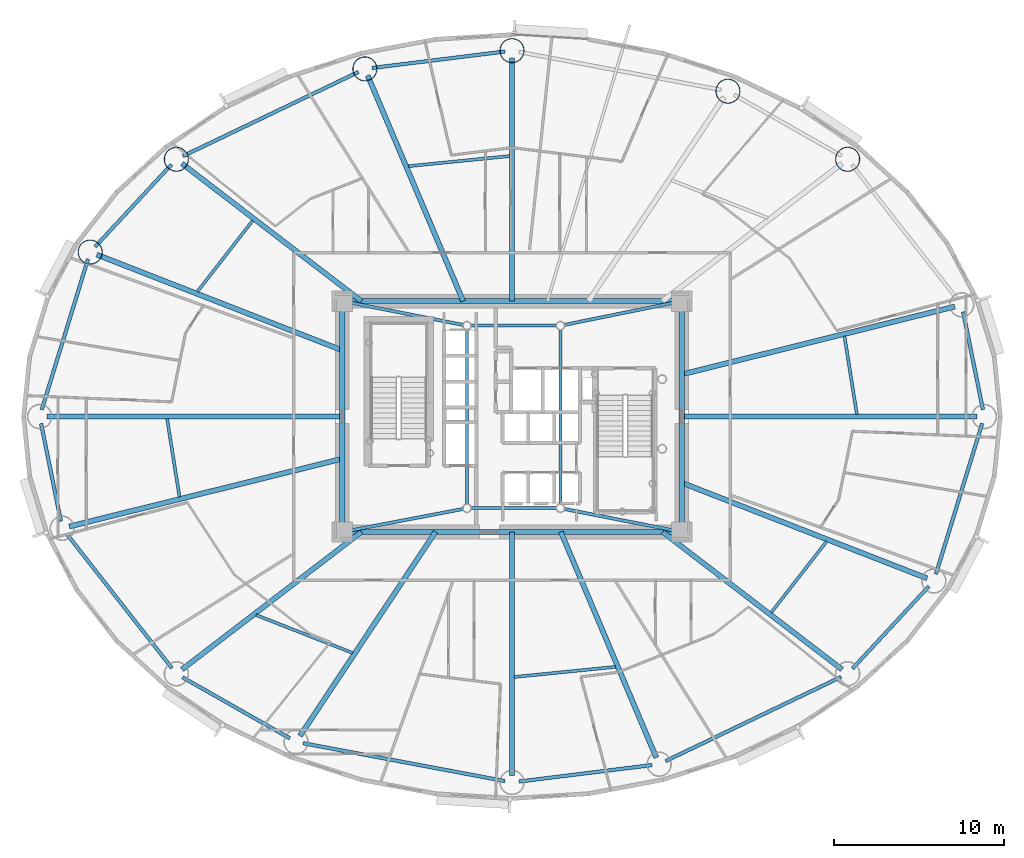
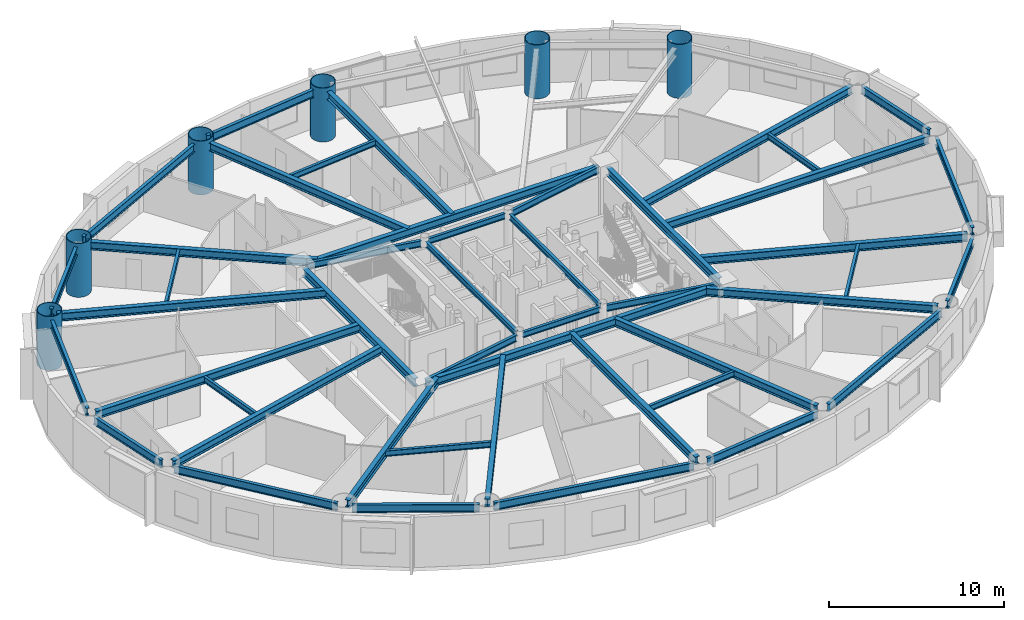
# One storey, part 3 of 18: 46 beams, 6 columns.
"""IFC4 building model written with IfcOpenShell, lengths in metres."""

from ifc_helpers import new_model, si_unit, direction, frame, origin, origin_2d, place, context, subcontext, project, spatial, hollow_circle, i_section, extrude, material, material_profile, profile_set, type_object, element, save


model = new_model("IFC4")

# Units and contexts
model_context = context("Model", 3, precision=1e-05, world=origin(), true_north=direction((0.0, 1.0)))
body_context = subcontext(model_context, "Body", "Model", "MODEL_VIEW")
ifc_project = project(units=[si_unit("LENGTHUNIT", "METRE"), si_unit("AREAUNIT", "SQUARE_METRE"), si_unit("VOLUMEUNIT", "CUBIC_METRE"), si_unit("PLANEANGLEUNIT", "RADIAN"), si_unit("MASSUNIT", "GRAM", prefix="KILO")], contexts=[model_context])

# Site, building, storey
site_placement = place(None, origin())
site = spatial("IfcSite", under=ifc_project, at=site_placement, CompositionType="ELEMENT")
building_placement = place(site_placement, origin())
building = spatial("IfcBuilding", under=site, at=building_placement, Name="Linh Dai School and Residence Tower", CompositionType="ELEMENT")
storey_placement = place(building_placement, frame((0.0, 0.0, 123.449951171875)))
storey = spatial("IfcBuildingStorey", under=building, at=storey_placement, Name="L29", CompositionType="ELEMENT", Elevation=123.449951171875)

# Columns
ifc_material = material(Name="Structural Steel S355JR", Category="steel")
ifc_material_profile_1 = material_profile(ifc_material, hollow_circle(Radius=0.72509765625, WallThickness=0.0419921875, at=origin_2d()), Name="CHS 1450x42")
ifc_profile_set_1 = profile_set([ifc_material_profile_1], Name="Structural Steel S355JR")
column_type = type_object("IfcColumnType", Name="COL-MC3", PredefinedType="COLUMN", material=ifc_profile_set_1)
for number, where, z_axis, x_axis, name in (
    (1, (55.772705078125, 42.155517578125, 0.0), (0.0, 0.0, 1.0), (1.0, 0.0, 0.0), "L29 Perimeter CFT Mega-Column MC03"),
    (2, (48.721923828125, 46.1650390625, 0.0), (0.0, 0.0, 1.0), (1.0, 0.0, 0.0), "L29 Perimeter CFT Mega-Column MC04"),
    (3, (36.0, 48.554931640625, 0.0), (0.0, 0.0, 1.0), (1.0, 0.0, 0.0), "L29 Perimeter CFT Mega-Column MC05"),
    (4, (27.33447265625, 47.480712890625, 0.0), (0.0, 0.0, 1.0), (1.0, 0.0, 0.0), "L29 Perimeter CFT Mega-Column MC06"),
    (5, (16.227294921875, 42.155517578125, 0.0), (0.0, 0.0, 1.0), (1.0, 0.0, 0.0), "L29 Perimeter CFT Mega-Column MC07"),
    (6, (11.15087890625, 36.6875, 0.0), (0.0, 0.0, 1.0), (1.0, 0.0, 0.0), "L29 Perimeter CFT Mega-Column MC08"),
):
    element("IfcColumn", number, at=place(storey_placement, frame(where, z_axis=z_axis, x_axis=x_axis)), inside=storey, type_object=column_type, Name=name, PredefinedType="COLUMN", context=body_context, shape_type="SweptSolid", body=[
        extrude(hollow_circle(Radius=0.72509765625, WallThickness=0.0419921875, at=origin_2d()), origin(), (0.0, 0.0, 1.0), 3.75),
    ])

# Beams
ifc_material_profile_2 = material_profile(ifc_material, i_section(OverallWidth=0.2099609375, OverallDepth=0.550048828125, WebThickness=0.010986328125, FlangeThickness=0.01708984375, FilletRadius=0.02392578125, at=origin_2d()), Name="IPE 550")
ifc_profile_set_2 = profile_set([ifc_material_profile_2], Name="Structural Steel S355JR")
beam_type_1 = type_object("IfcBeamType", Name="BM-RB55", PredefinedType="BEAM", material=ifc_profile_set_2)
beam_1_placement = place(storey_placement, frame((63.74169921875, 27.41162109375, 3.22509765625), z_axis=(-0.198441254313, 0.980112783605, 0.0), x_axis=(-0.980112783605, -0.198441254313, 0.0)))
element("IfcBeam", 7, at=beam_1_placement, inside=storey, type_object=beam_type_1, Name="L29 Perimeter Elliptical Ring Beam 01", PredefinedType="BEAM", context=body_context, shape_type="SweptSolid", body=[
    extrude(i_section(OverallWidth=0.2099609375, OverallDepth=0.550048828125, WebThickness=0.010986328125, FlangeThickness=0.01708984375, FilletRadius=0.02392578125, at=origin_2d()), origin(), (0.0, 0.0, 1.0), 5.874755859375),
])
beam_2_placement = place(storey_placement, frame((35.583251953125, 48.50341796875, 3.22509765625), z_axis=(-0.992399234854, -0.123059979933, 0.0), x_axis=(0.123059979933, -0.992399234854, 0.0)))
element("IfcBeam", 8, at=beam_2_placement, inside=storey, type_object=beam_type_1, Name="L29 Perimeter Elliptical Ring Beam 05", PredefinedType="BEAM", context=body_context, shape_type="SweptSolid", body=[
    extrude(i_section(OverallWidth=0.2099609375, OverallDepth=0.550048828125, WebThickness=0.010986328125, FlangeThickness=0.01708984375, FilletRadius=0.02392578125, at=origin_2d()), origin(), (0.0, 0.0, 1.0), 7.89208984375),
])
beam_3_placement = place(storey_placement, frame((26.955810546875, 47.299072265625, 3.22509765625), z_axis=(-0.901715153312, -0.432330640005, 0.0), x_axis=(0.432330640005, -0.901715153312, 0.0)))
element("IfcBeam", 9, at=beam_3_placement, inside=storey, type_object=beam_type_1, Name="L29 Perimeter Elliptical Ring Beam 06", PredefinedType="BEAM", context=body_context, shape_type="SweptSolid", body=[
    extrude(i_section(OverallWidth=0.2099609375, OverallDepth=0.550048828125, WebThickness=0.010986328125, FlangeThickness=0.01708984375, FilletRadius=0.02392578125, at=origin_2d()), origin(), (0.0, 0.0, 1.0), 11.477783203125),
])
beam_4_placement = place(storey_placement, frame((15.941650390625, 41.84765625, 3.22509765625), z_axis=(-0.680384623752, -0.732855213369, 0.0), x_axis=(0.732855213369, -0.680384623752, 0.0)))
element("IfcBeam", 10, at=beam_4_placement, inside=storey, type_object=beam_type_1, Name="L29 Perimeter Elliptical Ring Beam 07", PredefinedType="BEAM", context=body_context, shape_type="SweptSolid", body=[
    extrude(i_section(OverallWidth=0.2099609375, OverallDepth=0.550048828125, WebThickness=0.010986328125, FlangeThickness=0.01708984375, FilletRadius=0.02392578125, at=origin_2d()), origin(), (0.0, 0.0, 1.0), 6.62109375),
])
beam_5_placement = place(storey_placement, frame((11.027587890625, 36.2861328125, 3.22509765625), z_axis=(-0.29364097848, -0.95591577859, 0.0), x_axis=(0.95591577859, -0.29364097848, 0.0)))
element("IfcBeam", 11, at=beam_5_placement, inside=storey, type_object=beam_type_1, Name="L29 Perimeter Elliptical Ring Beam 08", PredefinedType="BEAM", context=body_context, shape_type="SweptSolid", body=[
    extrude(i_section(OverallWidth=0.2099609375, OverallDepth=0.550048828125, WebThickness=0.010986328125, FlangeThickness=0.01708984375, FilletRadius=0.02392578125, at=origin_2d()), origin(), (0.0, 0.0, 1.0), 9.29443359375),
])
beam_6_placement = place(storey_placement, frame((8.25830078125, 26.58837890625, 3.22509765625), z_axis=(0.198441254313, -0.980112783605, 0.0), x_axis=(0.980112783605, 0.198441254313, 0.0)))
element("IfcBeam", 12, at=beam_6_placement, inside=storey, type_object=beam_type_1, Name="L29 Perimeter Elliptical Ring Beam 09", PredefinedType="BEAM", context=body_context, shape_type="SweptSolid", body=[
    extrude(i_section(OverallWidth=0.2099609375, OverallDepth=0.550048828125, WebThickness=0.010986328125, FlangeThickness=0.01708984375, FilletRadius=0.02392578125, at=origin_2d()), origin(), (0.0, 0.0, 1.0), 5.874755859375),
])
beam_7_placement = place(storey_placement, frame((9.766357421875, 20.08837890625, 3.22509765625), z_axis=(0.616854830973, -0.787076945098, 0.0), x_axis=(0.787076945098, 0.616854830973, 0.0)))
element("IfcBeam", 13, at=beam_7_placement, inside=storey, type_object=beam_type_1, Name="L29 Perimeter Elliptical Ring Beam 10", PredefinedType="BEAM", context=body_context, shape_type="SweptSolid", body=[
    extrude(i_section(OverallWidth=0.2099609375, OverallDepth=0.550048828125, WebThickness=0.010986328125, FlangeThickness=0.01708984375, FilletRadius=0.02392578125, at=origin_2d()), origin(), (0.0, 0.0, 1.0), 10.053955078125),
])
beam_8_placement = place(storey_placement, frame((16.592529296875, 11.636962890625, 3.22509765625), z_axis=(0.86927031475, -0.494337050902, 0.0), x_axis=(0.494337050902, 0.86927031475, 0.0)))
element("IfcBeam", 14, at=beam_8_placement, inside=storey, type_object=beam_type_1, Name="L29 Perimeter Elliptical Ring Beam 11", PredefinedType="BEAM", context=body_context, shape_type="SweptSolid", body=[
    extrude(i_section(OverallWidth=0.2099609375, OverallDepth=0.550048828125, WebThickness=0.010986328125, FlangeThickness=0.01708984375, FilletRadius=0.02392578125, at=origin_2d()), origin(), (0.0, 0.0, 1.0), 7.270751953125),
])
beam_9_placement = place(storey_placement, frame((23.69091796875, 7.75732421875, 3.22509765625), z_axis=(0.982807507457, -0.184633158685, 0.0), x_axis=(0.184633158685, 0.982807507457, 0.0)))
element("IfcBeam", 15, at=beam_9_placement, inside=storey, type_object=beam_type_1, Name="L29 Perimeter Elliptical Ring Beam 12", PredefinedType="BEAM", context=body_context, shape_type="SweptSolid", body=[
    extrude(i_section(OverallWidth=0.2099609375, OverallDepth=0.550048828125, WebThickness=0.010986328125, FlangeThickness=0.01708984375, FilletRadius=0.02392578125, at=origin_2d()), origin(), (0.0, 0.0, 1.0), 12.104248046875),
])
beam_10_placement = place(storey_placement, frame((36.416748046875, 5.49658203125, 3.22509765625), z_axis=(0.992399234854, 0.123059979933, 0.0), x_axis=(-0.123059979933, 0.992399234854, 0.0)))
element("IfcBeam", 16, at=beam_10_placement, inside=storey, type_object=beam_type_1, Name="L29 Perimeter Elliptical Ring Beam 13", PredefinedType="BEAM", context=body_context, shape_type="SweptSolid", body=[
    extrude(i_section(OverallWidth=0.2099609375, OverallDepth=0.550048828125, WebThickness=0.010986328125, FlangeThickness=0.01708984375, FilletRadius=0.02392578125, at=origin_2d()), origin(), (0.0, 0.0, 1.0), 7.89208984375),
])
beam_11_placement = place(storey_placement, frame((45.044189453125, 6.700927734375, 3.22509765625), z_axis=(0.901715153312, 0.432330640005, 0.0), x_axis=(-0.432330640005, 0.901715153312, 0.0)))
element("IfcBeam", 17, at=beam_11_placement, inside=storey, type_object=beam_type_1, Name="L29 Perimeter Elliptical Ring Beam 14", PredefinedType="BEAM", context=body_context, shape_type="SweptSolid", body=[
    extrude(i_section(OverallWidth=0.2099609375, OverallDepth=0.550048828125, WebThickness=0.010986328125, FlangeThickness=0.01708984375, FilletRadius=0.02392578125, at=origin_2d()), origin(), (0.0, 0.0, 1.0), 11.477783203125),
])
beam_12_placement = place(storey_placement, frame((56.058349609375, 12.15234375, 3.22509765625), z_axis=(0.680384623752, 0.732855213369, 0.0), x_axis=(-0.732855213369, 0.680384623752, 0.0)))
element("IfcBeam", 18, at=beam_12_placement, inside=storey, type_object=beam_type_1, Name="L29 Perimeter Elliptical Ring Beam 15", PredefinedType="BEAM", context=body_context, shape_type="SweptSolid", body=[
    extrude(i_section(OverallWidth=0.2099609375, OverallDepth=0.550048828125, WebThickness=0.010986328125, FlangeThickness=0.01708984375, FilletRadius=0.02392578125, at=origin_2d()), origin(), (0.0, 0.0, 1.0), 6.62109375),
])
beam_13_placement = place(storey_placement, frame((60.972412109375, 17.7138671875, 3.22509765625), z_axis=(0.29364097848, 0.95591577859, 0.0), x_axis=(-0.95591577859, 0.29364097848, 0.0)))
element("IfcBeam", 19, at=beam_13_placement, inside=storey, type_object=beam_type_1, Name="L29 Perimeter Elliptical Ring Beam 16", PredefinedType="BEAM", context=body_context, shape_type="SweptSolid", body=[
    extrude(i_section(OverallWidth=0.2099609375, OverallDepth=0.550048828125, WebThickness=0.010986328125, FlangeThickness=0.01708984375, FilletRadius=0.02392578125, at=origin_2d()), origin(), (0.0, 0.0, 1.0), 9.29443359375),
])
ifc_material_profile_3 = material_profile(ifc_material, i_section(OverallWidth=0.300048828125, OverallDepth=0.550048828125, WebThickness=0.014892578125, FlangeThickness=0.029052734375, FilletRadius=0.027099609375, at=origin_2d()), Name="HEB 550")
ifc_profile_set_3 = profile_set([ifc_material_profile_3], Name="Structural Steel S355JR")
beam_type_2 = type_object("IfcBeamType", Name="BM-RG55", PredefinedType="BEAM", material=ifc_profile_set_3)
beam_14_placement = place(storey_placement, frame((26.419921875, 20.199951171875, 3.22509765625), z_axis=(1.0, 0.0, 0.0), x_axis=(0.0, 1.0, 0.0)))
element("IfcBeam", 20, at=beam_14_placement, inside=storey, type_object=beam_type_2, Name="L29 Core Perimeter Coupling Girder 1", PredefinedType="BEAM", context=body_context, shape_type="SweptSolid", body=[
    extrude(i_section(OverallWidth=0.300048828125, OverallDepth=0.550048828125, WebThickness=0.014892578125, FlangeThickness=0.029052734375, FilletRadius=0.027099609375, at=origin_2d()), origin(), (0.0, 0.0, 1.0), 19.16015625),
])
beam_15_placement = place(storey_placement, frame((46.0, 20.6201171875, 3.22509765625), z_axis=(0.0, 1.0, 0.0), x_axis=(-1.0, 0.0, 0.0)))
element("IfcBeam", 21, at=beam_15_placement, inside=storey, type_object=beam_type_2, Name="L29 Core Perimeter Coupling Girder 2", PredefinedType="BEAM", context=body_context, shape_type="SweptSolid", body=[
    extrude(i_section(OverallWidth=0.300048828125, OverallDepth=0.550048828125, WebThickness=0.014892578125, FlangeThickness=0.029052734375, FilletRadius=0.027099609375, at=origin_2d()), origin(), (0.0, 0.0, 1.0), 12.759765625),
])
beam_16_placement = place(storey_placement, frame((45.580078125, 33.800048828125, 3.22509765625), z_axis=(-1.0, 0.0, 0.0), x_axis=(0.0, -1.0, 0.0)))
element("IfcBeam", 22, at=beam_16_placement, inside=storey, type_object=beam_type_2, Name="L29 Core Perimeter Coupling Girder 3", PredefinedType="BEAM", context=body_context, shape_type="SweptSolid", body=[
    extrude(i_section(OverallWidth=0.300048828125, OverallDepth=0.550048828125, WebThickness=0.014892578125, FlangeThickness=0.029052734375, FilletRadius=0.027099609375, at=origin_2d()), origin(), (0.0, 0.0, 1.0), 19.16015625),
])
beam_17_placement = place(storey_placement, frame((26.0, 33.3798828125, 3.22509765625), z_axis=(0.0, -1.0, 0.0), x_axis=(1.0, 0.0, 0.0)))
element("IfcBeam", 23, at=beam_17_placement, inside=storey, type_object=beam_type_2, Name="L29 Core Perimeter Coupling Girder 4", PredefinedType="BEAM", context=body_context, shape_type="SweptSolid", body=[
    extrude(i_section(OverallWidth=0.300048828125, OverallDepth=0.550048828125, WebThickness=0.014892578125, FlangeThickness=0.029052734375, FilletRadius=0.027099609375, at=origin_2d()), origin(), (0.0, 0.0, 1.0), 12.759765625),
])
beam_18_placement = place(storey_placement, frame((46.0, 27.0, 3.22509765625), z_axis=(1.0, 0.0, 0.0), x_axis=(0.0, 1.0, 0.0)))
element("IfcBeam", 24, at=beam_18_placement, inside=storey, type_object=beam_type_2, Name="L29 Primary Radial Floor Girder 01", PredefinedType="BEAM", context=body_context, shape_type="SweptSolid", body=[
    extrude(i_section(OverallWidth=0.300048828125, OverallDepth=0.550048828125, WebThickness=0.014892578125, FlangeThickness=0.029052734375, FilletRadius=0.027099609375, at=origin_2d()), origin(), (0.0, 0.0, 1.0), 17.405029296875),
])
beam_19_placement = place(storey_placement, frame((46.0, 29.484130859375, 3.22509765625), z_axis=(0.970505338376, 0.241079630379, 0.0), x_axis=(-0.241079630379, 0.970505338376, 0.0)))
element("IfcBeam", 25, at=beam_19_placement, inside=storey, type_object=beam_type_2, Name="L29 Primary Radial Floor Girder 02", PredefinedType="BEAM", context=body_context, shape_type="SweptSolid", body=[
    extrude(i_section(OverallWidth=0.300048828125, OverallDepth=0.550048828125, WebThickness=0.014892578125, FlangeThickness=0.029052734375, FilletRadius=0.027099609375, at=origin_2d()), origin(), (0.0, 0.0, 1.0), 16.57373046875),
])
beam_20_placement = place(storey_placement, frame((36.0, 33.800048828125, 3.22509765625), z_axis=(0.0, 1.0, 0.0), x_axis=(-1.0, 0.0, 0.0)))
element("IfcBeam", 26, at=beam_20_placement, inside=storey, type_object=beam_type_2, Name="L29 Primary Radial Floor Girder 05", PredefinedType="BEAM", context=body_context, shape_type="SweptSolid", body=[
    extrude(i_section(OverallWidth=0.300048828125, OverallDepth=0.550048828125, WebThickness=0.014892578125, FlangeThickness=0.029052734375, FilletRadius=0.027099609375, at=origin_2d()), origin(), (0.0, 0.0, 1.0), 14.3349609375),
])
beam_21_placement = place(storey_placement, frame((33.122802734375, 33.800048828125, 3.22509765625), z_axis=(-0.389669233739, 0.920954878524, 0.0), x_axis=(-0.920954878524, -0.389669233739, 0.0)))
element("IfcBeam", 27, at=beam_21_placement, inside=storey, type_object=beam_type_2, Name="L29 Primary Radial Floor Girder 06", PredefinedType="BEAM", context=body_context, shape_type="SweptSolid", body=[
    extrude(i_section(OverallWidth=0.300048828125, OverallDepth=0.550048828125, WebThickness=0.014892578125, FlangeThickness=0.029052734375, FilletRadius=0.027099609375, at=origin_2d()), origin(), (0.0, 0.0, 1.0), 14.434814453125),
])
beam_22_placement = place(storey_placement, frame((27.12841796875, 33.800048828125, 3.22509765625), z_axis=(-0.793678660795, 0.608337228352, 0.0), x_axis=(-0.608337228352, -0.793678660795, 0.0)))
element("IfcBeam", 28, at=beam_22_placement, inside=storey, type_object=beam_type_2, Name="L29 Primary Radial Floor Girder 07", PredefinedType="BEAM", context=body_context, shape_type="SweptSolid", body=[
    extrude(i_section(OverallWidth=0.300048828125, OverallDepth=0.550048828125, WebThickness=0.014892578125, FlangeThickness=0.029052734375, FilletRadius=0.027099609375, at=origin_2d()), origin(), (0.0, 0.0, 1.0), 13.314697265625),
])
beam_23_placement = place(storey_placement, frame((26.0, 30.8984375, 3.22509765625), z_axis=(-0.931699338449, 0.363230426498, 0.0), x_axis=(-0.363230426498, -0.931699338449, 0.0)))
element("IfcBeam", 29, at=beam_23_placement, inside=storey, type_object=beam_type_2, Name="L29 Primary Radial Floor Girder 08", PredefinedType="BEAM", context=body_context, shape_type="SweptSolid", body=[
    extrude(i_section(OverallWidth=0.300048828125, OverallDepth=0.550048828125, WebThickness=0.014892578125, FlangeThickness=0.029052734375, FilletRadius=0.027099609375, at=origin_2d()), origin(), (0.0, 0.0, 1.0), 15.517578125),
])
beam_24_placement = place(storey_placement, frame((26.0, 27.0, 3.22509765625), z_axis=(-1.0, 0.0, 0.0), x_axis=(0.0, -1.0, 0.0)))
element("IfcBeam", 30, at=beam_24_placement, inside=storey, type_object=beam_type_2, Name="L29 Primary Radial Floor Girder 09", PredefinedType="BEAM", context=body_context, shape_type="SweptSolid", body=[
    extrude(i_section(OverallWidth=0.300048828125, OverallDepth=0.550048828125, WebThickness=0.014892578125, FlangeThickness=0.029052734375, FilletRadius=0.027099609375, at=origin_2d()), origin(), (0.0, 0.0, 1.0), 17.405029296875),
])
beam_25_placement = place(storey_placement, frame((26.0, 24.515869140625, 3.22509765625), z_axis=(-0.970505338376, -0.241079630379, 0.0), x_axis=(0.241079630379, -0.970505338376, 0.0)))
element("IfcBeam", 31, at=beam_25_placement, inside=storey, type_object=beam_type_2, Name="L29 Primary Radial Floor Girder 10", PredefinedType="BEAM", context=body_context, shape_type="SweptSolid", body=[
    extrude(i_section(OverallWidth=0.300048828125, OverallDepth=0.550048828125, WebThickness=0.014892578125, FlangeThickness=0.029052734375, FilletRadius=0.027099609375, at=origin_2d()), origin(), (0.0, 0.0, 1.0), 16.57373046875),
])
beam_26_placement = place(storey_placement, frame((27.12841796875, 20.199951171875, 3.22509765625), z_axis=(-0.793678660795, -0.608337228352, 0.0), x_axis=(0.608337228352, -0.793678660795, 0.0)))
element("IfcBeam", 32, at=beam_26_placement, inside=storey, type_object=beam_type_2, Name="L29 Primary Radial Floor Girder 11", PredefinedType="BEAM", context=body_context, shape_type="SweptSolid", body=[
    extrude(i_section(OverallWidth=0.300048828125, OverallDepth=0.550048828125, WebThickness=0.014892578125, FlangeThickness=0.029052734375, FilletRadius=0.027099609375, at=origin_2d()), origin(), (0.0, 0.0, 1.0), 13.314697265625),
])
beam_27_placement = place(storey_placement, frame((31.486083984375, 20.199951171875, 3.22509765625), z_axis=(-0.553054392401, -0.833145148846, 0.0), x_axis=(0.833145148846, -0.553054392401, 0.0)))
element("IfcBeam", 33, at=beam_27_placement, inside=storey, type_object=beam_type_2, Name="L29 Primary Radial Floor Girder 12", PredefinedType="BEAM", context=body_context, shape_type="SweptSolid", body=[
    extrude(i_section(OverallWidth=0.300048828125, OverallDepth=0.550048828125, WebThickness=0.014892578125, FlangeThickness=0.029052734375, FilletRadius=0.027099609375, at=origin_2d()), origin(), (0.0, 0.0, 1.0), 14.42138671875),
])
beam_28_placement = place(storey_placement, frame((36.0, 20.199951171875, 3.22509765625), z_axis=(0.0, -1.0, 0.0), x_axis=(1.0, 0.0, 0.0)))
element("IfcBeam", 34, at=beam_28_placement, inside=storey, type_object=beam_type_2, Name="L29 Primary Radial Floor Girder 13", PredefinedType="BEAM", context=body_context, shape_type="SweptSolid", body=[
    extrude(i_section(OverallWidth=0.300048828125, OverallDepth=0.550048828125, WebThickness=0.014892578125, FlangeThickness=0.029052734375, FilletRadius=0.027099609375, at=origin_2d()), origin(), (0.0, 0.0, 1.0), 14.3349609375),
])
beam_29_placement = place(storey_placement, frame((38.877197265625, 20.199951171875, 3.22509765625), z_axis=(0.389669233739, -0.920954878524, 0.0), x_axis=(0.920954878524, 0.389669233739, 0.0)))
element("IfcBeam", 35, at=beam_29_placement, inside=storey, type_object=beam_type_2, Name="L29 Primary Radial Floor Girder 14", PredefinedType="BEAM", context=body_context, shape_type="SweptSolid", body=[
    extrude(i_section(OverallWidth=0.300048828125, OverallDepth=0.550048828125, WebThickness=0.014892578125, FlangeThickness=0.029052734375, FilletRadius=0.027099609375, at=origin_2d()), origin(), (0.0, 0.0, 1.0), 14.434814453125),
])
beam_30_placement = place(storey_placement, frame((44.87158203125, 20.199951171875, 3.22509765625), z_axis=(0.793678660795, -0.608337228352, 0.0), x_axis=(0.608337228352, 0.793678660795, 0.0)))
element("IfcBeam", 36, at=beam_30_placement, inside=storey, type_object=beam_type_2, Name="L29 Primary Radial Floor Girder 15", PredefinedType="BEAM", context=body_context, shape_type="SweptSolid", body=[
    extrude(i_section(OverallWidth=0.300048828125, OverallDepth=0.550048828125, WebThickness=0.014892578125, FlangeThickness=0.029052734375, FilletRadius=0.027099609375, at=origin_2d()), origin(), (0.0, 0.0, 1.0), 13.314697265625),
])
beam_31_placement = place(storey_placement, frame((46.0, 23.1015625, 3.22509765625), z_axis=(0.931699338449, -0.363230426498, 0.0), x_axis=(0.363230426498, 0.931699338449, 0.0)))
element("IfcBeam", 37, at=beam_31_placement, inside=storey, type_object=beam_type_2, Name="L29 Primary Radial Floor Girder 16", PredefinedType="BEAM", context=body_context, shape_type="SweptSolid", body=[
    extrude(i_section(OverallWidth=0.300048828125, OverallDepth=0.550048828125, WebThickness=0.014892578125, FlangeThickness=0.029052734375, FilletRadius=0.027099609375, at=origin_2d()), origin(), (0.0, 0.0, 1.0), 15.517578125),
])
ifc_material_profile_4 = material_profile(ifc_material, i_section(OverallWidth=0.179931640625, OverallDepth=0.39990234375, WebThickness=0.008544921875, FlangeThickness=0.013427734375, FilletRadius=0.02099609375, at=origin_2d()), Name="IPE 400")
ifc_profile_set_4 = profile_set([ifc_material_profile_4], Name="Structural Steel S355JR")
beam_type_3 = type_object("IfcBeamType", Name="BM-SB40", PredefinedType="BEAM", material=ifc_profile_set_4)
beam_32_placement = place(storey_placement, frame((33.573974609375, 21.60009765625, 3.300048828125), z_axis=(1.0, 0.0, 0.0), x_axis=(0.0, 1.0, 0.0)))
element("IfcBeam", 38, at=beam_32_placement, inside=storey, type_object=beam_type_3, Name="L29 Core Mast Pier Tie Beam 1", PredefinedType="BEAM", context=body_context, shape_type="SweptSolid", body=[
    extrude(i_section(OverallWidth=0.179931640625, OverallDepth=0.39990234375, WebThickness=0.008544921875, FlangeThickness=0.013427734375, FilletRadius=0.02099609375, at=origin_2d()), origin(), (0.0, 0.0, 1.0), 5.052001953125),
])
beam_33_placement = place(storey_placement, frame((38.85009765625, 21.823974609375, 3.300048828125), z_axis=(0.0, 1.0, 0.0), x_axis=(-1.0, 0.0, 0.0)))
element("IfcBeam", 39, at=beam_33_placement, inside=storey, type_object=beam_type_3, Name="L29 Core Mast Pier Tie Beam 2", PredefinedType="BEAM", context=body_context, shape_type="SweptSolid", body=[
    extrude(i_section(OverallWidth=0.179931640625, OverallDepth=0.39990234375, WebThickness=0.008544921875, FlangeThickness=0.013427734375, FilletRadius=0.02099609375, at=origin_2d()), origin(), (0.0, 0.0, 1.0), 10.302001953125),
])
beam_34_placement = place(storey_placement, frame((38.6259765625, 32.35009765625, 3.300048828125), z_axis=(-1.0, 0.0, 0.0), x_axis=(0.0, -1.0, 0.0)))
element("IfcBeam", 40, at=beam_34_placement, inside=storey, type_object=beam_type_3, Name="L29 Core Mast Pier Tie Beam 3", PredefinedType="BEAM", context=body_context, shape_type="SweptSolid", body=[
    extrude(i_section(OverallWidth=0.179931640625, OverallDepth=0.39990234375, WebThickness=0.008544921875, FlangeThickness=0.013427734375, FilletRadius=0.02099609375, at=origin_2d()), origin(), (0.0, 0.0, 1.0), 5.052001953125),
])
beam_35_placement = place(storey_placement, frame((33.35009765625, 32.1259765625, 3.300048828125), z_axis=(0.0, -1.0, 0.0), x_axis=(1.0, 0.0, 0.0)))
element("IfcBeam", 41, at=beam_35_placement, inside=storey, type_object=beam_type_3, Name="L29 Core Mast Pier Tie Beam 4", PredefinedType="BEAM", context=body_context, shape_type="SweptSolid", body=[
    extrude(i_section(OverallWidth=0.179931640625, OverallDepth=0.39990234375, WebThickness=0.008544921875, FlangeThickness=0.013427734375, FilletRadius=0.02099609375, at=origin_2d()), origin(), (0.0, 0.0, 1.0), 10.302001953125),
])
beam_36_placement = place(storey_placement, frame((56.318115234375, 27.12841796875, 3.300048828125), z_axis=(-0.15702217033, 0.987595077967, 0.0), x_axis=(-0.987595077967, -0.15702217033, 0.0)))
element("IfcBeam", 42, at=beam_36_placement, inside=storey, type_object=beam_type_3, Name="L29 Secondary Circumferential Floor Beam 01", PredefinedType="BEAM", context=body_context, shape_type="SweptSolid", body=[
    extrude(i_section(OverallWidth=0.179931640625, OverallDepth=0.39990234375, WebThickness=0.008544921875, FlangeThickness=0.013427734375, FilletRadius=0.02099609375, at=origin_2d()), origin(), (0.0, 0.0, 1.0), 4.661376953125),
])
beam_37_placement = place(storey_placement, frame((35.87060546875, 42.344970703125, 3.300048828125), z_axis=(-0.995039604987, -0.099479568287, 0.0), x_axis=(0.099479568287, -0.995039604987, 0.0)))
element("IfcBeam", 43, at=beam_37_placement, inside=storey, type_object=beam_type_3, Name="L29 Secondary Circumferential Floor Beam 03", PredefinedType="BEAM", context=body_context, shape_type="SweptSolid", body=[
    extrude(i_section(OverallWidth=0.179931640625, OverallDepth=0.39990234375, WebThickness=0.008544921875, FlangeThickness=0.013427734375, FilletRadius=0.02099609375, at=origin_2d()), origin(), (0.0, 0.0, 1.0), 6.00537109375),
])
beam_38_placement = place(storey_placement, frame((20.725830078125, 38.543701171875, 3.300048828125), z_axis=(-0.614322948635, -0.789054696951, 0.0), x_axis=(0.789054696951, -0.614322948635, 0.0)))
element("IfcBeam", 44, at=beam_38_placement, inside=storey, type_object=beam_type_3, Name="L29 Secondary Circumferential Floor Beam 04", PredefinedType="BEAM", context=body_context, shape_type="SweptSolid", body=[
    extrude(i_section(OverallWidth=0.179931640625, OverallDepth=0.39990234375, WebThickness=0.008544921875, FlangeThickness=0.013427734375, FilletRadius=0.02099609375, at=origin_2d()), origin(), (0.0, 0.0, 1.0), 5.303955078125),
])
beam_39_placement = place(storey_placement, frame((15.681884765625, 26.87158203125, 3.300048828125), z_axis=(0.15702217033, -0.987595077967, 0.0), x_axis=(0.987595077967, 0.15702217033, 0.0)))
element("IfcBeam", 45, at=beam_39_placement, inside=storey, type_object=beam_type_3, Name="L29 Secondary Circumferential Floor Beam 05", PredefinedType="BEAM", context=body_context, shape_type="SweptSolid", body=[
    extrude(i_section(OverallWidth=0.179931640625, OverallDepth=0.39990234375, WebThickness=0.008544921875, FlangeThickness=0.013427734375, FilletRadius=0.02099609375, at=origin_2d()), origin(), (0.0, 0.0, 1.0), 4.661376953125),
])
beam_40_placement = place(storey_placement, frame((20.9267578125, 15.306396484375, 3.300048828125), z_axis=(0.930755385045, -0.365642466365, 0.0), x_axis=(0.365642466365, 0.930755385045, 0.0)))
element("IfcBeam", 46, at=beam_40_placement, inside=storey, type_object=beam_type_3, Name="L29 Secondary Circumferential Floor Beam 06", PredefinedType="BEAM", context=body_context, shape_type="SweptSolid", body=[
    extrude(i_section(OverallWidth=0.179931640625, OverallDepth=0.39990234375, WebThickness=0.008544921875, FlangeThickness=0.013427734375, FilletRadius=0.02099609375, at=origin_2d()), origin(), (0.0, 0.0, 1.0), 6.10009765625),
])
beam_41_placement = place(storey_placement, frame((36.12939453125, 11.655029296875, 3.300048828125), z_axis=(0.995039604987, 0.099479568287, 0.0), x_axis=(-0.099479568287, 0.995039604987, 0.0)))
element("IfcBeam", 47, at=beam_41_placement, inside=storey, type_object=beam_type_3, Name="L29 Secondary Circumferential Floor Beam 07", PredefinedType="BEAM", context=body_context, shape_type="SweptSolid", body=[
    extrude(i_section(OverallWidth=0.179931640625, OverallDepth=0.39990234375, WebThickness=0.008544921875, FlangeThickness=0.013427734375, FilletRadius=0.02099609375, at=origin_2d()), origin(), (0.0, 0.0, 1.0), 6.00537109375),
])
beam_42_placement = place(storey_placement, frame((51.274169921875, 15.456298828125, 3.300048828125), z_axis=(0.614322948635, 0.789054696951, 0.0), x_axis=(-0.789054696951, 0.614322948635, 0.0)))
element("IfcBeam", 48, at=beam_42_placement, inside=storey, type_object=beam_type_3, Name="L29 Secondary Circumferential Floor Beam 08", PredefinedType="BEAM", context=body_context, shape_type="SweptSolid", body=[
    extrude(i_section(OverallWidth=0.179931640625, OverallDepth=0.39990234375, WebThickness=0.008544921875, FlangeThickness=0.013427734375, FilletRadius=0.02099609375, at=origin_2d()), origin(), (0.0, 0.0, 1.0), 5.303955078125),
])
ifc_material_profile_5 = material_profile(ifc_material, i_section(OverallWidth=0.18994140625, OverallDepth=0.449951171875, WebThickness=0.009521484375, FlangeThickness=0.0146484375, FilletRadius=0.02099609375, at=origin_2d()), Name="IPE 450")
ifc_profile_set_5 = profile_set([ifc_material_profile_5], Name="Structural Steel S355JR")
beam_type_4 = type_object("IfcBeamType", Name="BM-SB45", PredefinedType="BEAM", material=ifc_profile_set_5)
beam_43_placement = place(storey_placement, frame((26.41259765625, 20.278564453125, 3.275146484375), z_axis=(0.982337003886, 0.187120311019, 0.0), x_axis=(-0.187120311019, 0.982337003886, 0.0)))
element("IfcBeam", 49, at=beam_43_placement, inside=storey, type_object=beam_type_4, Name="L29 Core Corner-to-Mast Pier Beam 1", PredefinedType="BEAM", context=body_context, shape_type="SweptSolid", body=[
    extrude(i_section(OverallWidth=0.18994140625, OverallDepth=0.449951171875, WebThickness=0.009521484375, FlangeThickness=0.0146484375, FilletRadius=0.02099609375, at=origin_2d()), origin(), (0.0, 0.0, 1.0), 6.838134765625),
])
beam_44_placement = place(storey_placement, frame((45.587890625, 20.28076171875, 3.275146484375), z_axis=(-0.981368554414, 0.192134745446, 0.0), x_axis=(-0.192134745446, -0.981368554414, 0.0)))
element("IfcBeam", 50, at=beam_44_placement, inside=storey, type_object=beam_type_4, Name="L29 Core Corner-to-Mast Pier Beam 2", PredefinedType="BEAM", context=body_context, shape_type="SweptSolid", body=[
    extrude(i_section(OverallWidth=0.18994140625, OverallDepth=0.449951171875, WebThickness=0.009521484375, FlangeThickness=0.0146484375, FilletRadius=0.02099609375, at=origin_2d()), origin(), (0.0, 0.0, 1.0), 6.641845703125),
])
beam_45_placement = place(storey_placement, frame((45.58837890625, 33.716552734375, 3.275146484375), z_axis=(-0.980049140776, -0.19875533116, 0.0), x_axis=(0.19875533116, -0.980049140776, 0.0)))
element("IfcBeam", 51, at=beam_45_placement, inside=storey, type_object=beam_type_4, Name="L29 Core Corner-to-Mast Pier Beam 3", PredefinedType="BEAM", context=body_context, shape_type="SweptSolid", body=[
    extrude(i_section(OverallWidth=0.18994140625, OverallDepth=0.449951171875, WebThickness=0.009521484375, FlangeThickness=0.0146484375, FilletRadius=0.02099609375, at=origin_2d()), origin(), (0.0, 0.0, 1.0), 6.651611328125),
])
beam_46_placement = place(storey_placement, frame((26.412109375, 33.71875, 3.275146484375), z_axis=(0.981087482999, -0.193564848828, 0.0), x_axis=(0.193564848828, 0.981087482999, 0.0)))
element("IfcBeam", 52, at=beam_46_placement, inside=storey, type_object=beam_type_4, Name="L29 Core Corner-to-Mast Pier Beam 4", PredefinedType="BEAM", context=body_context, shape_type="SweptSolid", body=[
    extrude(i_section(OverallWidth=0.18994140625, OverallDepth=0.449951171875, WebThickness=0.009521484375, FlangeThickness=0.0146484375, FilletRadius=0.02099609375, at=origin_2d()), origin(), (0.0, 0.0, 1.0), 6.847412109375),
])

save(model, "model.ifc")
